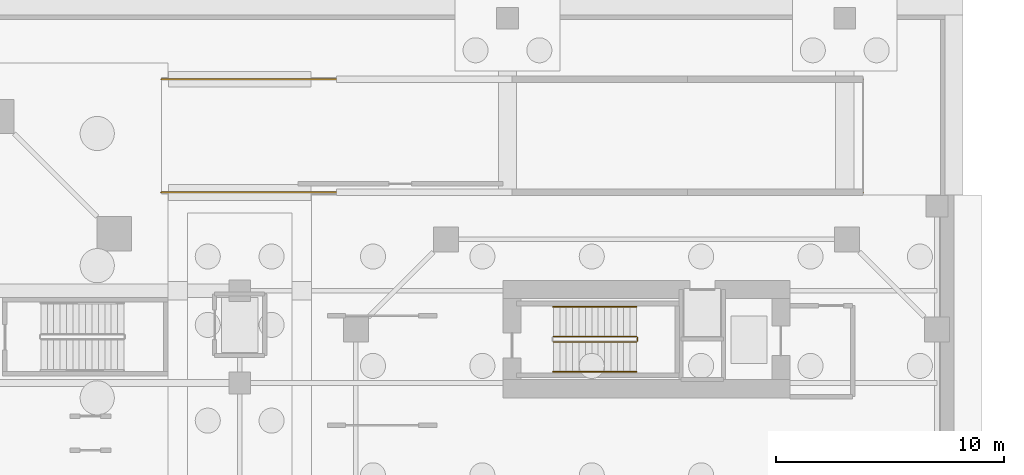
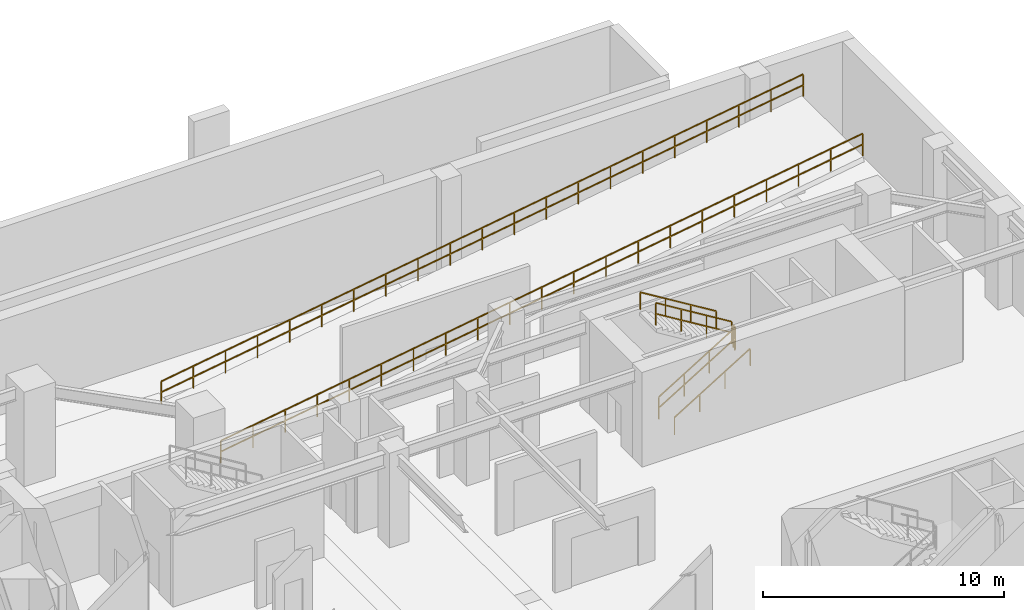
# One storey, part 12 of 13: 7 railings.
"""IFC4 building model written with IfcOpenShell, lengths in metres."""

from ifc_helpers import new_model, si_unit, direction, frame, origin, origin_2d, place, context, subcontext, project, spatial, rectangle, extrude, material, type_object, element, save


model = new_model("IFC4")

# Units and contexts
model_context = context("Model", 3, precision=1e-05, world=origin(), true_north=direction((0.0, 1.0)))
body_context = subcontext(model_context, "Body", "Model", "MODEL_VIEW")
ifc_project = project(units=[si_unit("LENGTHUNIT", "METRE"), si_unit("AREAUNIT", "SQUARE_METRE"), si_unit("VOLUMEUNIT", "CUBIC_METRE"), si_unit("PLANEANGLEUNIT", "RADIAN"), si_unit("MASSUNIT", "GRAM", prefix="KILO"), si_unit("THERMODYNAMICTEMPERATUREUNIT", "KELVIN"), si_unit("POWERUNIT", "WATT")], contexts=[model_context])

# Site, building, storey
site_placement = place(None, origin())
site = spatial("IfcSite", under=ifc_project, at=site_placement, CompositionType="ELEMENT")
building_placement = place(site_placement, origin())
building = spatial("IfcBuilding", under=site, at=building_placement, Name="Qiaomeng Ring Towers", CompositionType="ELEMENT")
storey_placement = place(building_placement, frame((0.0, 0.0, -9.60009765625)))
storey = spatial("IfcBuildingStorey", under=building, at=storey_placement, Name="B2", CompositionType="ELEMENT", Elevation=-9.60009765625)

# Railings
ifc_material_1 = material(Name="Galvanised steel", Category="steel")
railing_type_1 = type_object("IfcRailingType", Name="ARC-RL-GUARD", PredefinedType="GUARDRAIL", material=ifc_material_1)
railing_1_placement = place(storey_placement, frame((56.419921875, 31.25, 0.171630859375)))
element("IfcRailing", 1, at=railing_1_placement, inside=storey, type_object=railing_type_1, Name="B2 ST5 stair guard 1", PredefinedType="GUARDRAIL", context=body_context, shape_type="SweptSolid", body=[
    extrude(rectangle(XDim=0.048095703125, YDim=0.048095703125, at=origin_2d()), frame((0.0, 0.0, 1.1259765625), z_axis=(0.852865859571, 0.0, 0.52213008492), x_axis=(0.0, 1.0, 0.0)), (0.0, 0.0, 1.0), 4.26806640625),
    extrude(rectangle(XDim=0.048095703125, YDim=0.048095703125, at=origin_2d()), frame((0.0, 0.0, 0.574951171875), z_axis=(0.852865859571, 0.0, 0.52213008492), x_axis=(0.0, 1.0, 0.0)), (0.0, 0.0, 1.0), 4.26806640625),
    extrude(rectangle(XDim=0.0419921875, YDim=0.0419921875, at=origin_2d()), origin(), (0.0, 0.0, 1.0), 1.101806640625),
    extrude(rectangle(XDim=0.0419921875, YDim=0.0419921875, at=origin_2d()), frame((1.21337890625, 0.0, 0.742919921875)), (0.0, 0.0, 1.0), 1.101806640625),
    extrude(rectangle(XDim=0.0419921875, YDim=0.0419921875, at=origin_2d()), frame((2.4267578125, 0.0, 1.485595703125)), (0.0, 0.0, 1.0), 1.101806640625),
    extrude(rectangle(XDim=0.0419921875, YDim=0.0419921875, at=origin_2d()), frame((3.64013671875, 0.0, 2.228515625)), (0.0, 0.0, 1.0), 1.101806640625),
])
railing_2_placement = place(storey_placement, frame((60.110107421875, 31.300048828125, 2.400146484375)))
element("IfcRailing", 2, at=railing_2_placement, inside=storey, type_object=railing_type_1, Name="B2 ST5 stair guard 2", PredefinedType="GUARDRAIL", context=body_context, shape_type="SweptSolid", body=[
    extrude(rectangle(XDim=0.048095703125, YDim=0.048095703125, at=origin_2d()), frame((0.0, 0.0, 1.1259765625), z_axis=(0.0, 1.0, 0.0), x_axis=(-1.0, 0.0, 0.0)), (0.0, 0.0, 1.0), 0.139892578125),
    extrude(rectangle(XDim=0.048095703125, YDim=0.048095703125, at=origin_2d()), frame((0.0, 0.0, 0.574951171875), z_axis=(0.0, 1.0, 0.0), x_axis=(-1.0, 0.0, 0.0)), (0.0, 0.0, 1.0), 0.139892578125),
    extrude(rectangle(XDim=0.0419921875, YDim=0.0419921875, at=origin_2d()), origin(), (0.0, 0.0, 1.0), 1.101806640625),
    extrude(rectangle(XDim=0.0419921875, YDim=0.0419921875, at=origin_2d()), frame((0.0, 0.139892578125, 0.0)), (0.0, 0.0, 1.0), 1.101806640625),
])
railing_3_placement = place(storey_placement, frame((60.06005859375, 31.489990234375, 2.571533203125)))
element("IfcRailing", 3, at=railing_3_placement, inside=storey, type_object=railing_type_1, Name="B2 ST5 stair guard 3", PredefinedType="GUARDRAIL", context=body_context, shape_type="SweptSolid", body=[
    extrude(rectangle(XDim=0.048095703125, YDim=0.048095703125, at=origin_2d()), frame((0.0, 0.0, 1.1259765625), z_axis=(-0.852865859571, 0.0, 0.52213008492), x_axis=(0.0, -1.0, 0.0)), (0.0, 0.0, 1.0), 4.26806640625),
    extrude(rectangle(XDim=0.048095703125, YDim=0.048095703125, at=origin_2d()), frame((0.0, 0.0, 0.574951171875), z_axis=(-0.852865859571, 0.0, 0.52213008492), x_axis=(0.0, -1.0, 0.0)), (0.0, 0.0, 1.0), 4.26806640625),
    extrude(rectangle(XDim=0.0419921875, YDim=0.0419921875, at=origin_2d()), origin(), (0.0, 0.0, 1.0), 1.101806640625),
    extrude(rectangle(XDim=0.0419921875, YDim=0.0419921875, at=origin_2d()), frame((-1.21337890625, 0.0, 0.742919921875)), (0.0, 0.0, 1.0), 1.101806640625),
    extrude(rectangle(XDim=0.0419921875, YDim=0.0419921875, at=origin_2d()), frame((-2.4267578125, 0.0, 1.485595703125)), (0.0, 0.0, 1.0), 1.101806640625),
    extrude(rectangle(XDim=0.0419921875, YDim=0.0419921875, at=origin_2d()), frame((-3.64013671875, 0.0, 2.228515625)), (0.0, 0.0, 1.0), 1.101806640625),
])
railing_4_placement = place(storey_placement, frame((39.199951171875, 37.820068359375, 0.0)))
element("IfcRailing", 4, at=railing_4_placement, inside=storey, type_object=railing_type_1, Name="B2 Vehicle Ramp R2 Sloped Flight Guard S", PredefinedType="GUARDRAIL", context=body_context, shape_type="SweptSolid", body=[
    extrude(rectangle(XDim=0.048095703125, YDim=0.048095703125, at=origin_2d()), frame((0.0, 0.0, 1.1259765625), z_axis=(0.988072918596, 0.0, 0.153986712212), x_axis=(0.0, 1.0, 0.0)), (0.0, 0.0, 1.0), 31.171875),
    extrude(rectangle(XDim=0.048095703125, YDim=0.048095703125, at=origin_2d()), frame((0.0, 0.0, 0.574951171875), z_axis=(0.988072918596, 0.0, 0.153986712212), x_axis=(0.0, 1.0, 0.0)), (0.0, 0.0, 1.0), 31.171875),
    extrude(rectangle(XDim=0.0419921875, YDim=0.0419921875, at=origin_2d()), origin(), (0.0, 0.0, 1.0), 1.101806640625),
    extrude(rectangle(XDim=0.0419921875, YDim=0.0419921875, at=origin_2d()), frame((1.5400390625, 0.0, 0.239990234375)), (0.0, 0.0, 1.0), 1.101806640625),
    extrude(rectangle(XDim=0.0419921875, YDim=0.0419921875, at=origin_2d()), frame((3.080078125, 0.0, 0.47998046875)), (0.0, 0.0, 1.0), 1.101806640625),
    extrude(rectangle(XDim=0.0419921875, YDim=0.0419921875, at=origin_2d()), frame((4.6201171875, 0.0, 0.719970703125)), (0.0, 0.0, 1.0), 1.101806640625),
    extrude(rectangle(XDim=0.0419921875, YDim=0.0419921875, at=origin_2d()), frame((6.159912109375, 0.0, 0.9599609375)), (0.0, 0.0, 1.0), 1.101806640625),
    extrude(rectangle(XDim=0.0419921875, YDim=0.0419921875, at=origin_2d()), frame((7.699951171875, 0.0, 1.199951171875)), (0.0, 0.0, 1.0), 1.101806640625),
    extrude(rectangle(XDim=0.0419921875, YDim=0.0419921875, at=origin_2d()), frame((9.239990234375, 0.0, 1.43994140625)), (0.0, 0.0, 1.0), 1.101806640625),
    extrude(rectangle(XDim=0.0419921875, YDim=0.0419921875, at=origin_2d()), frame((10.780029296875, 0.0, 1.679931640625)), (0.0, 0.0, 1.0), 1.101806640625),
    extrude(rectangle(XDim=0.0419921875, YDim=0.0419921875, at=origin_2d()), frame((12.320068359375, 0.0, 1.919921875)), (0.0, 0.0, 1.0), 1.101806640625),
    extrude(rectangle(XDim=0.0419921875, YDim=0.0419921875, at=origin_2d()), frame((13.860107421875, 0.0, 2.159912109375)), (0.0, 0.0, 1.0), 1.101806640625),
    extrude(rectangle(XDim=0.0419921875, YDim=0.0419921875, at=origin_2d()), frame((15.39990234375, 0.0, 2.39990234375)), (0.0, 0.0, 1.0), 1.101806640625),
    extrude(rectangle(XDim=0.0419921875, YDim=0.0419921875, at=origin_2d()), frame((16.93994140625, 0.0, 2.64013671875)), (0.0, 0.0, 1.0), 1.101806640625),
    extrude(rectangle(XDim=0.0419921875, YDim=0.0419921875, at=origin_2d()), frame((18.47998046875, 0.0, 2.880126953125)), (0.0, 0.0, 1.0), 1.101806640625),
    extrude(rectangle(XDim=0.0419921875, YDim=0.0419921875, at=origin_2d()), frame((20.02001953125, 0.0, 3.1201171875)), (0.0, 0.0, 1.0), 1.101806640625),
    extrude(rectangle(XDim=0.0419921875, YDim=0.0419921875, at=origin_2d()), frame((21.56005859375, 0.0, 3.360107421875)), (0.0, 0.0, 1.0), 1.101806640625),
    extrude(rectangle(XDim=0.0419921875, YDim=0.0419921875, at=origin_2d()), frame((23.10009765625, 0.0, 3.60009765625)), (0.0, 0.0, 1.0), 1.101806640625),
    extrude(rectangle(XDim=0.0419921875, YDim=0.0419921875, at=origin_2d()), frame((24.64013671875, 0.0, 3.840087890625)), (0.0, 0.0, 1.0), 1.101806640625),
    extrude(rectangle(XDim=0.0419921875, YDim=0.0419921875, at=origin_2d()), frame((26.179931640625, 0.0, 4.080078125)), (0.0, 0.0, 1.0), 1.101806640625),
    extrude(rectangle(XDim=0.0419921875, YDim=0.0419921875, at=origin_2d()), frame((27.719970703125, 0.0, 4.320068359375)), (0.0, 0.0, 1.0), 1.101806640625),
    extrude(rectangle(XDim=0.0419921875, YDim=0.0419921875, at=origin_2d()), frame((29.260009765625, 0.0, 4.56005859375)), (0.0, 0.0, 1.0), 1.101806640625),
    extrude(rectangle(XDim=0.0419921875, YDim=0.0419921875, at=origin_2d()), frame((30.800048828125, 0.0, 4.800048828125)), (0.0, 0.0, 1.0), 1.101806640625),
])
railing_5_placement = place(storey_placement, frame((39.199951171875, 42.780029296875, 0.0)))
element("IfcRailing", 5, at=railing_5_placement, inside=storey, type_object=railing_type_1, Name="B2 Vehicle Ramp R2 Sloped Flight Guard N", PredefinedType="GUARDRAIL", context=body_context, shape_type="SweptSolid", body=[
    extrude(rectangle(XDim=0.048095703125, YDim=0.048095703125, at=origin_2d()), frame((0.0, 0.0, 1.1259765625), z_axis=(0.988072918596, 0.0, 0.153986712212), x_axis=(0.0, 1.0, 0.0)), (0.0, 0.0, 1.0), 31.171875),
    extrude(rectangle(XDim=0.048095703125, YDim=0.048095703125, at=origin_2d()), frame((0.0, 0.0, 0.574951171875), z_axis=(0.988072918596, 0.0, 0.153986712212), x_axis=(0.0, 1.0, 0.0)), (0.0, 0.0, 1.0), 31.171875),
    extrude(rectangle(XDim=0.0419921875, YDim=0.0419921875, at=origin_2d()), origin(), (0.0, 0.0, 1.0), 1.101806640625),
    extrude(rectangle(XDim=0.0419921875, YDim=0.0419921875, at=origin_2d()), frame((1.5400390625, 0.0, 0.239990234375)), (0.0, 0.0, 1.0), 1.101806640625),
    extrude(rectangle(XDim=0.0419921875, YDim=0.0419921875, at=origin_2d()), frame((3.080078125, 0.0, 0.47998046875)), (0.0, 0.0, 1.0), 1.101806640625),
    extrude(rectangle(XDim=0.0419921875, YDim=0.0419921875, at=origin_2d()), frame((4.6201171875, 0.0, 0.719970703125)), (0.0, 0.0, 1.0), 1.101806640625),
    extrude(rectangle(XDim=0.0419921875, YDim=0.0419921875, at=origin_2d()), frame((6.159912109375, 0.0, 0.9599609375)), (0.0, 0.0, 1.0), 1.101806640625),
    extrude(rectangle(XDim=0.0419921875, YDim=0.0419921875, at=origin_2d()), frame((7.699951171875, 0.0, 1.199951171875)), (0.0, 0.0, 1.0), 1.101806640625),
    extrude(rectangle(XDim=0.0419921875, YDim=0.0419921875, at=origin_2d()), frame((9.239990234375, 0.0, 1.43994140625)), (0.0, 0.0, 1.0), 1.101806640625),
    extrude(rectangle(XDim=0.0419921875, YDim=0.0419921875, at=origin_2d()), frame((10.780029296875, 0.0, 1.679931640625)), (0.0, 0.0, 1.0), 1.101806640625),
    extrude(rectangle(XDim=0.0419921875, YDim=0.0419921875, at=origin_2d()), frame((12.320068359375, 0.0, 1.919921875)), (0.0, 0.0, 1.0), 1.101806640625),
    extrude(rectangle(XDim=0.0419921875, YDim=0.0419921875, at=origin_2d()), frame((13.860107421875, 0.0, 2.159912109375)), (0.0, 0.0, 1.0), 1.101806640625),
    extrude(rectangle(XDim=0.0419921875, YDim=0.0419921875, at=origin_2d()), frame((15.39990234375, 0.0, 2.39990234375)), (0.0, 0.0, 1.0), 1.101806640625),
    extrude(rectangle(XDim=0.0419921875, YDim=0.0419921875, at=origin_2d()), frame((16.93994140625, 0.0, 2.64013671875)), (0.0, 0.0, 1.0), 1.101806640625),
    extrude(rectangle(XDim=0.0419921875, YDim=0.0419921875, at=origin_2d()), frame((18.47998046875, 0.0, 2.880126953125)), (0.0, 0.0, 1.0), 1.101806640625),
    extrude(rectangle(XDim=0.0419921875, YDim=0.0419921875, at=origin_2d()), frame((20.02001953125, 0.0, 3.1201171875)), (0.0, 0.0, 1.0), 1.101806640625),
    extrude(rectangle(XDim=0.0419921875, YDim=0.0419921875, at=origin_2d()), frame((21.56005859375, 0.0, 3.360107421875)), (0.0, 0.0, 1.0), 1.101806640625),
    extrude(rectangle(XDim=0.0419921875, YDim=0.0419921875, at=origin_2d()), frame((23.10009765625, 0.0, 3.60009765625)), (0.0, 0.0, 1.0), 1.101806640625),
    extrude(rectangle(XDim=0.0419921875, YDim=0.0419921875, at=origin_2d()), frame((24.64013671875, 0.0, 3.840087890625)), (0.0, 0.0, 1.0), 1.101806640625),
    extrude(rectangle(XDim=0.0419921875, YDim=0.0419921875, at=origin_2d()), frame((26.179931640625, 0.0, 4.080078125)), (0.0, 0.0, 1.0), 1.101806640625),
    extrude(rectangle(XDim=0.0419921875, YDim=0.0419921875, at=origin_2d()), frame((27.719970703125, 0.0, 4.320068359375)), (0.0, 0.0, 1.0), 1.101806640625),
    extrude(rectangle(XDim=0.0419921875, YDim=0.0419921875, at=origin_2d()), frame((29.260009765625, 0.0, 4.56005859375)), (0.0, 0.0, 1.0), 1.101806640625),
    extrude(rectangle(XDim=0.0419921875, YDim=0.0419921875, at=origin_2d()), frame((30.800048828125, 0.0, 4.800048828125)), (0.0, 0.0, 1.0), 1.101806640625),
])
ifc_material_2 = material(Name="Stainless steel 316", Category="steel")
railing_type_2 = type_object("IfcRailingType", Name="ARC-RL-HAND", PredefinedType="HANDRAIL", material=ifc_material_2)
railing_6_placement = place(storey_placement, frame((56.419921875, 29.949951171875, 0.171630859375)))
element("IfcRailing", 6, at=railing_6_placement, inside=storey, type_object=railing_type_2, Name="B2 ST5 stair handrail 1", PredefinedType="HANDRAIL", context=body_context, shape_type="SweptSolid", body=[
    extrude(rectangle(XDim=0.048095703125, YDim=0.048095703125, at=origin_2d()), frame((0.0, 0.0, 0.8759765625), z_axis=(0.852865859571, 0.0, 0.52213008492), x_axis=(0.0, 1.0, 0.0)), (0.0, 0.0, 1.0), 4.26806640625),
    extrude(rectangle(XDim=0.0419921875, YDim=0.0419921875, at=origin_2d()), origin(), (0.0, 0.0, 1.0), 0.851806640625),
    extrude(rectangle(XDim=0.0419921875, YDim=0.0419921875, at=origin_2d()), frame((1.21337890625, 0.0, 0.742919921875)), (0.0, 0.0, 1.0), 0.851806640625),
    extrude(rectangle(XDim=0.0419921875, YDim=0.0419921875, at=origin_2d()), frame((2.4267578125, 0.0, 1.485595703125)), (0.0, 0.0, 1.0), 0.851806640625),
    extrude(rectangle(XDim=0.0419921875, YDim=0.0419921875, at=origin_2d()), frame((3.64013671875, 0.0, 2.228515625)), (0.0, 0.0, 1.0), 0.851806640625),
])
railing_7_placement = place(storey_placement, frame((60.06005859375, 32.7900390625, 2.571533203125)))
element("IfcRailing", 7, at=railing_7_placement, inside=storey, type_object=railing_type_2, Name="B2 ST5 stair handrail 2", PredefinedType="HANDRAIL", context=body_context, shape_type="SweptSolid", body=[
    extrude(rectangle(XDim=0.048095703125, YDim=0.048095703125, at=origin_2d()), frame((0.0, 0.0, 0.8759765625), z_axis=(-0.852865859571, 0.0, 0.52213008492), x_axis=(0.0, -1.0, 0.0)), (0.0, 0.0, 1.0), 4.26806640625),
    extrude(rectangle(XDim=0.0419921875, YDim=0.0419921875, at=origin_2d()), origin(), (0.0, 0.0, 1.0), 0.851806640625),
    extrude(rectangle(XDim=0.0419921875, YDim=0.0419921875, at=origin_2d()), frame((-1.21337890625, 0.0, 0.742919921875)), (0.0, 0.0, 1.0), 0.851806640625),
    extrude(rectangle(XDim=0.0419921875, YDim=0.0419921875, at=origin_2d()), frame((-2.4267578125, 0.0, 1.485595703125)), (0.0, 0.0, 1.0), 0.851806640625),
    extrude(rectangle(XDim=0.0419921875, YDim=0.0419921875, at=origin_2d()), frame((-3.64013671875, 0.0, 2.228515625)), (0.0, 0.0, 1.0), 0.851806640625),
])

save(model, "model.ifc")
